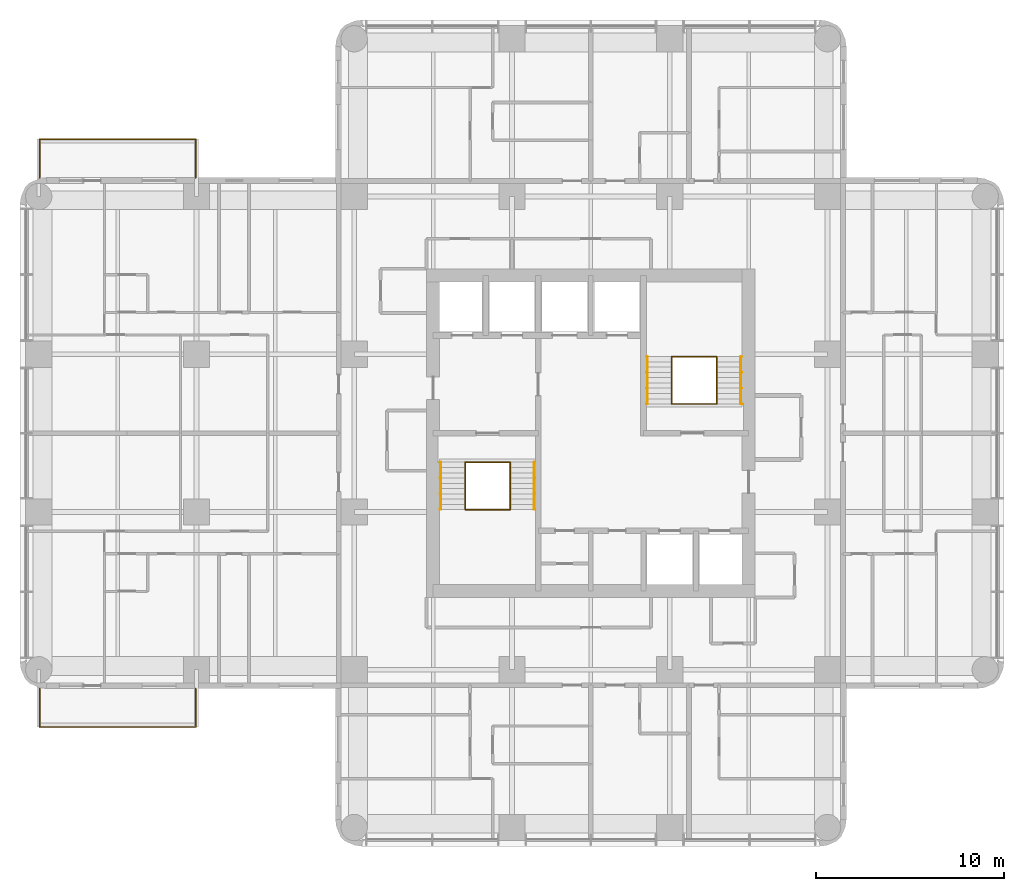
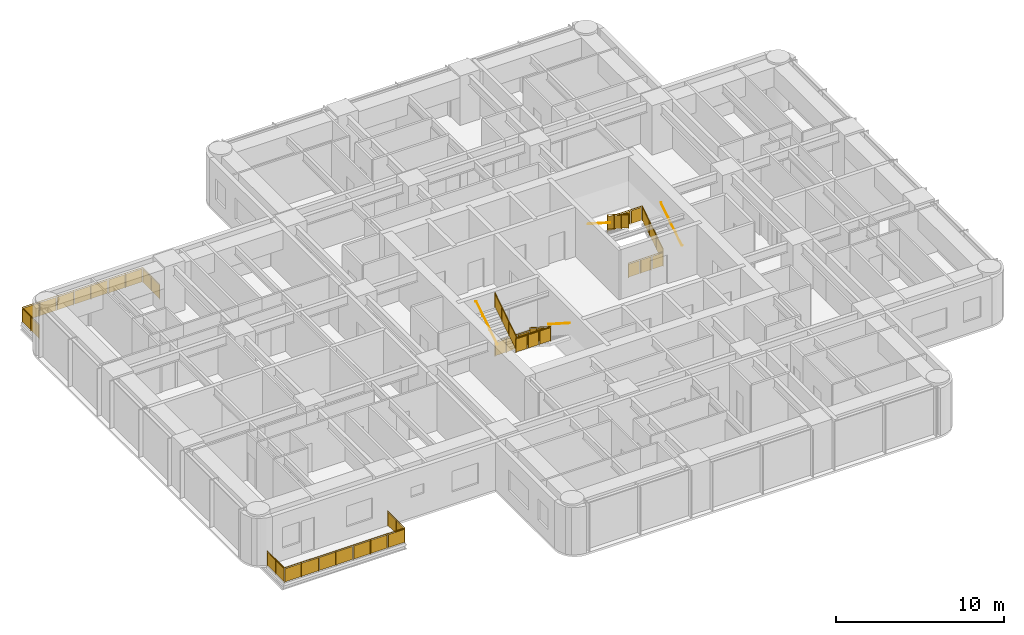
# One storey, part 11 of 11: 14 railings.
"""IFC4 building model written with IfcOpenShell, lengths in metres."""

from ifc_helpers import new_model, si_unit, direction, frame, origin, origin_2d, place, context, subcontext, project, spatial, polyline, circle, outline, extrude, material, constituent, constituent_set, type_object, element, save


model = new_model("IFC4")

# Units and contexts
model_context = context("Model", 3, precision=1e-05, world=origin(), true_north=direction((0.0, 1.0)))
body_context = subcontext(model_context, "Body", "Model", "MODEL_VIEW")
ifc_project = project(units=[si_unit("LENGTHUNIT", "METRE"), si_unit("AREAUNIT", "SQUARE_METRE"), si_unit("VOLUMEUNIT", "CUBIC_METRE"), si_unit("PLANEANGLEUNIT", "RADIAN"), si_unit("MASSUNIT", "GRAM", prefix="KILO")], contexts=[model_context])

# Site, building, storey
site_placement = place(None, origin())
site = spatial("IfcSite", under=ifc_project, at=site_placement, CompositionType="ELEMENT")
building_placement = place(site_placement, origin())
building = spatial("IfcBuilding", under=site, at=building_placement, Name="Torre Alcanfor", CompositionType="ELEMENT")
storey_placement = place(building_placement, frame((0.0, 0.0, 204.89990234375)))
storey = spatial("IfcBuildingStorey", under=building, at=storey_placement, Name="L53", CompositionType="ELEMENT", Elevation=204.89990234375)

# Railings
ifc_material_1 = material(Name="Laminated safety glass", Category="glass")
ifc_constituent_1 = constituent(ifc_material_1, Name="Infill")
ifc_material_2 = material(Name="Stainless steel ASTM A554 Grade MT 316L tube", Category="steel")
ifc_constituent_2 = constituent(ifc_material_2, Name="Posts and rail")
ifc_constituent_set = constituent_set(constituents=[ifc_constituent_1, ifc_constituent_2], Name="Balcony guard glass 1100")
railing_type_1 = type_object("IfcRailingType", Name="Balcony guard glass 1100", PredefinedType="BALUSTRADE", material=ifc_constituent_set)
railing_1_placement = place(storey_placement, frame((8.35009765625, 15.800048828125, 0.0)))
element("IfcRailing", 1, at=railing_1_placement, inside=storey, type_object=railing_type_1, Name="Balcony guard L53-W1", PredefinedType="BALUSTRADE", context=body_context, shape_type="SweptSolid", body=[
    extrude(circle(Radius=0.02392578125, at=origin_2d()), frame((0.0, 0.0, 1.076171875), z_axis=(0.0, -1.0, 0.0), x_axis=(1.0, 0.0, 0.0)), (0.0, 0.0, 1.0), 2.050048828125),
    extrude(circle(Radius=0.02392578125, at=origin_2d()), frame((0.0, -2.050048828125, 1.076171875), z_axis=(-1.0, 0.0, 0.0), x_axis=(0.0, -1.0, 0.0)), (0.0, 0.0, 1.0), 8.300048828125),
    extrude(circle(Radius=0.02392578125, at=origin_2d()), frame((-8.300048828125, -2.050048828125, 1.076171875), z_axis=(0.0, 1.0, 0.0), x_axis=(-1.0, 0.0, 0.0)), (0.0, 0.0, 1.0), 2.050048828125),
    extrude(circle(Radius=0.02099609375, at=origin_2d()), origin(), (0.0, 0.0, 1.0), 1.052001953125),
    extrude(circle(Radius=0.02099609375, at=origin_2d()), frame((0.0, -1.02490234375, 0.0)), (0.0, 0.0, 1.0), 1.052001953125),
    extrude(circle(Radius=0.02099609375, at=origin_2d()), frame((0.0, -2.050048828125, 0.0)), (0.0, 0.0, 1.0), 1.052001953125),
    extrude(circle(Radius=0.02099609375, at=origin_2d()), frame((-1.185791015625, -2.050048828125, 0.0)), (0.0, 0.0, 1.0), 1.052001953125),
    extrude(circle(Radius=0.02099609375, at=origin_2d()), frame((-2.371337890625, -2.050048828125, 0.0)), (0.0, 0.0, 1.0), 1.052001953125),
    extrude(circle(Radius=0.02099609375, at=origin_2d()), frame((-3.55712890625, -2.050048828125, 0.0)), (0.0, 0.0, 1.0), 1.052001953125),
    extrude(circle(Radius=0.02099609375, at=origin_2d()), frame((-4.742919921875, -2.050048828125, 0.0)), (0.0, 0.0, 1.0), 1.052001953125),
    extrude(circle(Radius=0.02099609375, at=origin_2d()), frame((-5.9287109375, -2.050048828125, 0.0)), (0.0, 0.0, 1.0), 1.052001953125),
    extrude(circle(Radius=0.02099609375, at=origin_2d()), frame((-7.1142578125, -2.050048828125, 0.0)), (0.0, 0.0, 1.0), 1.052001953125),
    extrude(circle(Radius=0.02099609375, at=origin_2d()), frame((-8.300048828125, -2.050048828125, 0.0)), (0.0, 0.0, 1.0), 1.052001953125),
    extrude(circle(Radius=0.02099609375, at=origin_2d()), frame((-8.300048828125, -1.02490234375, 0.0)), (0.0, 0.0, 1.0), 1.052001953125),
    extrude(circle(Radius=0.02099609375, at=origin_2d()), frame((-8.300048828125, 0.0, 0.0)), (0.0, 0.0, 1.0), 1.052001953125),
    extrude(outline(polyline([(0.041015625, 0.050048828125), (0.984130859375, 0.050048828125), (0.984130859375, 1.001953125), (0.041015625, 1.001953125), (0.041015625, 0.050048828125)])), frame((0.005859375, 0.0, 0.0), z_axis=(-1.0, 0.0, 0.0), x_axis=(0.0, -1.0, 0.0)), (0.0, 0.0, 1.0), 0.011962890625),
    extrude(outline(polyline([(1.06591796875, 0.050048828125), (2.009033203125, 0.050048828125), (2.009033203125, 1.001953125), (1.06591796875, 1.001953125), (1.06591796875, 0.050048828125)])), frame((0.005859375, 0.0, 0.0), z_axis=(-1.0, 0.0, 0.0), x_axis=(0.0, -1.0, 0.0)), (0.0, 0.0, 1.0), 0.011962890625),
    extrude(outline(polyline([(0.041015625, 0.050048828125), (1.144775390625, 0.050048828125), (1.144775390625, 1.001953125), (0.041015625, 1.001953125), (0.041015625, 0.050048828125)])), frame((0.0, -2.05615234375, 0.0), z_axis=(0.0, 1.0, 0.0), x_axis=(-1.0, 0.0, 0.0)), (0.0, 0.0, 1.0), 0.011962890625),
    extrude(outline(polyline([(1.226806640625, 0.050048828125), (2.330322265625, 0.050048828125), (2.330322265625, 1.001953125), (1.226806640625, 1.001953125), (1.226806640625, 0.050048828125)])), frame((0.0, -2.05615234375, 0.0), z_axis=(0.0, 1.0, 0.0), x_axis=(-1.0, 0.0, 0.0)), (0.0, 0.0, 1.0), 0.011962890625),
    extrude(outline(polyline([(2.412353515625, 0.050048828125), (3.51611328125, 0.050048828125), (3.51611328125, 1.001953125), (2.412353515625, 1.001953125), (2.412353515625, 0.050048828125)])), frame((0.0, -2.05615234375, 0.0), z_axis=(0.0, 1.0, 0.0), x_axis=(-1.0, 0.0, 0.0)), (0.0, 0.0, 1.0), 0.011962890625),
    extrude(outline(polyline([(3.59814453125, 0.050048828125), (4.701904296875, 0.050048828125), (4.701904296875, 1.001953125), (3.59814453125, 1.001953125), (3.59814453125, 0.050048828125)])), frame((0.0, -2.05615234375, 0.0), z_axis=(0.0, 1.0, 0.0), x_axis=(-1.0, 0.0, 0.0)), (0.0, 0.0, 1.0), 0.011962890625),
    extrude(outline(polyline([(4.783935546875, 0.050048828125), (5.8876953125, 0.050048828125), (5.8876953125, 1.001953125), (4.783935546875, 1.001953125), (4.783935546875, 0.050048828125)])), frame((0.0, -2.05615234375, 0.0), z_axis=(0.0, 1.0, 0.0), x_axis=(-1.0, 0.0, 0.0)), (0.0, 0.0, 1.0), 0.011962890625),
    extrude(outline(polyline([(5.9697265625, 0.050048828125), (7.0732421875, 0.050048828125), (7.0732421875, 1.001953125), (5.9697265625, 1.001953125), (5.9697265625, 0.050048828125)])), frame((0.0, -2.05615234375, 0.0), z_axis=(0.0, 1.0, 0.0), x_axis=(-1.0, 0.0, 0.0)), (0.0, 0.0, 1.0), 0.011962890625),
    extrude(outline(polyline([(7.1552734375, 0.050048828125), (8.259033203125, 0.050048828125), (8.259033203125, 1.001953125), (7.1552734375, 1.001953125), (7.1552734375, 0.050048828125)])), frame((0.0, -2.05615234375, 0.0), z_axis=(0.0, 1.0, 0.0), x_axis=(-1.0, 0.0, 0.0)), (0.0, 0.0, 1.0), 0.011962890625),
    extrude(outline(polyline([(0.041015625, 0.050048828125), (0.984130859375, 0.050048828125), (0.984130859375, 1.001953125), (0.041015625, 1.001953125), (0.041015625, 0.050048828125)])), frame((-8.30615234375, -2.050048828125, 0.0), z_axis=(1.0, 0.0, 0.0), x_axis=(0.0, 1.0, 0.0)), (0.0, 0.0, 1.0), 0.011962890625),
    extrude(outline(polyline([(1.06591796875, 0.050048828125), (2.009033203125, 0.050048828125), (2.009033203125, 1.001953125), (1.06591796875, 1.001953125), (1.06591796875, 0.050048828125)])), frame((-8.30615234375, -2.050048828125, 0.0), z_axis=(1.0, 0.0, 0.0), x_axis=(0.0, 1.0, 0.0)), (0.0, 0.0, 1.0), 0.011962890625),
])
railing_2_placement = place(storey_placement, frame((8.35009765625, 43.0, 0.0)))
element("IfcRailing", 2, at=railing_2_placement, inside=storey, type_object=railing_type_1, Name="Balcony guard L53-W2", PredefinedType="BALUSTRADE", context=body_context, shape_type="SweptSolid", body=[
    extrude(circle(Radius=0.02392578125, at=origin_2d()), frame((0.0, 0.0, 1.076171875), z_axis=(0.0, 1.0, 0.0), x_axis=(-1.0, 0.0, 0.0)), (0.0, 0.0, 1.0), 2.050048828125),
    extrude(circle(Radius=0.02392578125, at=origin_2d()), frame((0.0, 2.050048828125, 1.076171875), z_axis=(-1.0, 0.0, 0.0), x_axis=(0.0, -1.0, 0.0)), (0.0, 0.0, 1.0), 8.300048828125),
    extrude(circle(Radius=0.02392578125, at=origin_2d()), frame((-8.300048828125, 2.050048828125, 1.076171875), z_axis=(0.0, -1.0, 0.0), x_axis=(1.0, 0.0, 0.0)), (0.0, 0.0, 1.0), 2.050048828125),
    extrude(circle(Radius=0.02099609375, at=origin_2d()), origin(), (0.0, 0.0, 1.0), 1.052001953125),
    extrude(circle(Radius=0.02099609375, at=origin_2d()), frame((0.0, 1.02490234375, 0.0)), (0.0, 0.0, 1.0), 1.052001953125),
    extrude(circle(Radius=0.02099609375, at=origin_2d()), frame((0.0, 2.050048828125, 0.0)), (0.0, 0.0, 1.0), 1.052001953125),
    extrude(circle(Radius=0.02099609375, at=origin_2d()), frame((-1.185791015625, 2.050048828125, 0.0)), (0.0, 0.0, 1.0), 1.052001953125),
    extrude(circle(Radius=0.02099609375, at=origin_2d()), frame((-2.371337890625, 2.050048828125, 0.0)), (0.0, 0.0, 1.0), 1.052001953125),
    extrude(circle(Radius=0.02099609375, at=origin_2d()), frame((-3.55712890625, 2.050048828125, 0.0)), (0.0, 0.0, 1.0), 1.052001953125),
    extrude(circle(Radius=0.02099609375, at=origin_2d()), frame((-4.742919921875, 2.050048828125, 0.0)), (0.0, 0.0, 1.0), 1.052001953125),
    extrude(circle(Radius=0.02099609375, at=origin_2d()), frame((-5.9287109375, 2.050048828125, 0.0)), (0.0, 0.0, 1.0), 1.052001953125),
    extrude(circle(Radius=0.02099609375, at=origin_2d()), frame((-7.1142578125, 2.050048828125, 0.0)), (0.0, 0.0, 1.0), 1.052001953125),
    extrude(circle(Radius=0.02099609375, at=origin_2d()), frame((-8.300048828125, 2.050048828125, 0.0)), (0.0, 0.0, 1.0), 1.052001953125),
    extrude(circle(Radius=0.02099609375, at=origin_2d()), frame((-8.300048828125, 1.02490234375, 0.0)), (0.0, 0.0, 1.0), 1.052001953125),
    extrude(circle(Radius=0.02099609375, at=origin_2d()), frame((-8.300048828125, 0.0, 0.0)), (0.0, 0.0, 1.0), 1.052001953125),
    extrude(outline(polyline([(0.041015625, 0.050048828125), (0.984130859375, 0.050048828125), (0.984130859375, 1.001953125), (0.041015625, 1.001953125), (0.041015625, 0.050048828125)])), frame((-0.005859375, 0.0, 0.0), z_axis=(1.0, 0.0, 0.0), x_axis=(0.0, 1.0, 0.0)), (0.0, 0.0, 1.0), 0.011962890625),
    extrude(outline(polyline([(1.06591796875, 0.050048828125), (2.009033203125, 0.050048828125), (2.009033203125, 1.001953125), (1.06591796875, 1.001953125), (1.06591796875, 0.050048828125)])), frame((-0.005859375, 0.0, 0.0), z_axis=(1.0, 0.0, 0.0), x_axis=(0.0, 1.0, 0.0)), (0.0, 0.0, 1.0), 0.011962890625),
    extrude(outline(polyline([(0.041015625, 0.050048828125), (1.144775390625, 0.050048828125), (1.144775390625, 1.001953125), (0.041015625, 1.001953125), (0.041015625, 0.050048828125)])), frame((0.0, 2.0439453125, 0.0), z_axis=(0.0, 1.0, 0.0), x_axis=(-1.0, 0.0, 0.0)), (0.0, 0.0, 1.0), 0.011962890625),
    extrude(outline(polyline([(1.226806640625, 0.050048828125), (2.330322265625, 0.050048828125), (2.330322265625, 1.001953125), (1.226806640625, 1.001953125), (1.226806640625, 0.050048828125)])), frame((0.0, 2.0439453125, 0.0), z_axis=(0.0, 1.0, 0.0), x_axis=(-1.0, 0.0, 0.0)), (0.0, 0.0, 1.0), 0.011962890625),
    extrude(outline(polyline([(2.412353515625, 0.050048828125), (3.51611328125, 0.050048828125), (3.51611328125, 1.001953125), (2.412353515625, 1.001953125), (2.412353515625, 0.050048828125)])), frame((0.0, 2.0439453125, 0.0), z_axis=(0.0, 1.0, 0.0), x_axis=(-1.0, 0.0, 0.0)), (0.0, 0.0, 1.0), 0.011962890625),
    extrude(outline(polyline([(3.59814453125, 0.050048828125), (4.701904296875, 0.050048828125), (4.701904296875, 1.001953125), (3.59814453125, 1.001953125), (3.59814453125, 0.050048828125)])), frame((0.0, 2.0439453125, 0.0), z_axis=(0.0, 1.0, 0.0), x_axis=(-1.0, 0.0, 0.0)), (0.0, 0.0, 1.0), 0.011962890625),
    extrude(outline(polyline([(4.783935546875, 0.050048828125), (5.8876953125, 0.050048828125), (5.8876953125, 1.001953125), (4.783935546875, 1.001953125), (4.783935546875, 0.050048828125)])), frame((0.0, 2.0439453125, 0.0), z_axis=(0.0, 1.0, 0.0), x_axis=(-1.0, 0.0, 0.0)), (0.0, 0.0, 1.0), 0.011962890625),
    extrude(outline(polyline([(5.9697265625, 0.050048828125), (7.0732421875, 0.050048828125), (7.0732421875, 1.001953125), (5.9697265625, 1.001953125), (5.9697265625, 0.050048828125)])), frame((0.0, 2.0439453125, 0.0), z_axis=(0.0, 1.0, 0.0), x_axis=(-1.0, 0.0, 0.0)), (0.0, 0.0, 1.0), 0.011962890625),
    extrude(outline(polyline([(7.1552734375, 0.050048828125), (8.259033203125, 0.050048828125), (8.259033203125, 1.001953125), (7.1552734375, 1.001953125), (7.1552734375, 0.050048828125)])), frame((0.0, 2.0439453125, 0.0), z_axis=(0.0, 1.0, 0.0), x_axis=(-1.0, 0.0, 0.0)), (0.0, 0.0, 1.0), 0.011962890625),
    extrude(outline(polyline([(0.041015625, 0.050048828125), (0.984130859375, 0.050048828125), (0.984130859375, 1.001953125), (0.041015625, 1.001953125), (0.041015625, 0.050048828125)])), frame((-8.2939453125, 2.050048828125, 0.0), z_axis=(-1.0, 0.0, 0.0), x_axis=(0.0, -1.0, 0.0)), (0.0, 0.0, 1.0), 0.011962890625),
    extrude(outline(polyline([(1.06591796875, 0.050048828125), (2.009033203125, 0.050048828125), (2.009033203125, 1.001953125), (1.06591796875, 1.001953125), (1.06591796875, 0.050048828125)])), frame((-8.2939453125, 2.050048828125, 0.0), z_axis=(-1.0, 0.0, 0.0), x_axis=(0.0, -1.0, 0.0)), (0.0, 0.0, 1.0), 0.011962890625),
])
ifc_material_3 = material(Name="Steel ASTM A500 Grade C hollow sections", Category="steel")
railing_type_2 = type_object("IfcRailingType", Name="Stair guard and handrail 1100", PredefinedType="GUARDRAIL", material=ifc_material_3)
railing_3_placement = place(storey_placement, frame((25.10009765625, 27.85009765625, 0.18017578125)))
element("IfcRailing", 3, at=railing_3_placement, inside=storey, type_object=railing_type_2, Name="Stair guard S1 L53 flight 1", PredefinedType="GUARDRAIL", context=body_context, shape_type="SweptSolid", body=[
    extrude(circle(Radius=0.02392578125, at=origin_2d()), frame((0.0, 0.0, 1.076171875), z_axis=(0.0, -0.841199657755, 0.540724639528), x_axis=(1.0, 0.0, 0.0)), (0.0, 0.0, 1.0), 2.995849609375),
    extrude(circle(Radius=0.02099609375, at=origin_2d()), origin(), (0.0, 0.0, 1.0), 1.052001953125),
    extrude(circle(Radius=0.02099609375, at=origin_2d()), frame((0.0, -0.840087890625, 0.5400390625)), (0.0, 0.0, 1.0), 1.052001953125),
    extrude(circle(Radius=0.02099609375, at=origin_2d()), frame((0.0, -1.679931640625, 1.079833984375)), (0.0, 0.0, 1.0), 1.052001953125),
    extrude(circle(Radius=0.02099609375, at=origin_2d()), frame((0.0, -2.52001953125, 1.619873046875)), (0.0, 0.0, 1.0), 1.052001953125),
    extrude(outline(polyline([(0.041015625, 0.076416015625), (0.799072265625, 0.563720703125), (0.799072265625, 1.515625), (0.041015625, 1.0283203125), (0.041015625, 0.076416015625)])), frame((0.005859375, 0.0, 0.0), z_axis=(-1.0, 0.0, 0.0), x_axis=(0.0, -1.0, 0.0)), (0.0, 0.0, 1.0), 0.011962890625),
    extrude(outline(polyline([(0.881103515625, 0.6162109375), (1.638916015625, 1.103515625), (1.638916015625, 2.0556640625), (0.881103515625, 1.568359375), (0.881103515625, 0.6162109375)])), frame((0.005859375, 0.0, 0.0), z_axis=(-1.0, 0.0, 0.0), x_axis=(0.0, -1.0, 0.0)), (0.0, 0.0, 1.0), 0.011962890625),
    extrude(outline(polyline([(1.720947265625, 1.15625), (2.47900390625, 1.6435546875), (2.47900390625, 2.595458984375), (1.720947265625, 2.108154296875), (1.720947265625, 1.15625)])), frame((0.005859375, 0.0, 0.0), z_axis=(-1.0, 0.0, 0.0), x_axis=(0.0, -1.0, 0.0)), (0.0, 0.0, 1.0), 0.011962890625),
])
railing_4_placement = place(storey_placement, frame((22.699951171875, 25.330078125, 1.97998046875)))
element("IfcRailing", 4, at=railing_4_placement, inside=storey, type_object=railing_type_2, Name="Stair guard S1 L53 flight 2", PredefinedType="GUARDRAIL", context=body_context, shape_type="SweptSolid", body=[
    extrude(circle(Radius=0.02392578125, at=origin_2d()), frame((0.0, 0.0, 1.076171875), z_axis=(0.0, 0.841162588446, 0.540782303519), x_axis=(-1.0, 0.0, 0.0)), (0.0, 0.0, 1.0), 2.995849609375),
    extrude(circle(Radius=0.02099609375, at=origin_2d()), origin(), (0.0, 0.0, 1.0), 1.052001953125),
    extrude(circle(Radius=0.02099609375, at=origin_2d()), frame((0.0, 0.840087890625, 0.5400390625)), (0.0, 0.0, 1.0), 1.052001953125),
    extrude(circle(Radius=0.02099609375, at=origin_2d()), frame((0.0, 1.679931640625, 1.080078125)), (0.0, 0.0, 1.0), 1.052001953125),
    extrude(circle(Radius=0.02099609375, at=origin_2d()), frame((0.0, 2.52001953125, 1.6201171875)), (0.0, 0.0, 1.0), 1.052001953125),
    extrude(outline(polyline([(0.041015625, 0.076416015625), (0.799072265625, 0.563720703125), (0.799072265625, 1.515625), (0.041015625, 1.0283203125), (0.041015625, 0.076416015625)])), frame((-0.005859375, 0.0, 0.0), z_axis=(1.0, 0.0, 0.0), x_axis=(0.0, 1.0, 0.0)), (0.0, 0.0, 1.0), 0.011962890625),
    extrude(outline(polyline([(0.881103515625, 0.616455078125), (1.638916015625, 1.103759765625), (1.638916015625, 2.0556640625), (0.881103515625, 1.568359375), (0.881103515625, 0.616455078125)])), frame((-0.005859375, 0.0, 0.0), z_axis=(1.0, 0.0, 0.0), x_axis=(0.0, 1.0, 0.0)), (0.0, 0.0, 1.0), 0.011962890625),
    extrude(outline(polyline([(1.720947265625, 1.156494140625), (2.47900390625, 1.643798828125), (2.47900390625, 2.595703125), (1.720947265625, 2.1083984375), (1.720947265625, 1.156494140625)])), frame((-0.005859375, 0.0, 0.0), z_axis=(1.0, 0.0, 0.0), x_axis=(0.0, 1.0, 0.0)), (0.0, 0.0, 1.0), 0.011962890625),
])
for number, where, name in (
    (5, (22.699951171875, 27.85009765625, 0.0), "Stair well guard S1 L53 floor landing"),
    (6, (22.699951171875, 25.330078125, 1.800048828125), "Stair well guard S1 L53 half landing"),
):
    element("IfcRailing", number, at=place(storey_placement, frame(where)), inside=storey, type_object=railing_type_2, Name=name, PredefinedType="GUARDRAIL", context=body_context, shape_type="SweptSolid", body=[
        extrude(circle(Radius=0.02392578125, at=origin_2d()), frame((0.0, 0.0, 1.076171875), z_axis=(1.0, 0.0, 0.0), x_axis=(0.0, 1.0, 0.0)), (0.0, 0.0, 1.0), 2.400146484375),
        extrude(circle(Radius=0.02099609375, at=origin_2d()), origin(), (0.0, 0.0, 1.0), 1.052001953125),
        extrude(circle(Radius=0.02099609375, at=origin_2d()), frame((0.800048828125, 0.0, 0.0)), (0.0, 0.0, 1.0), 1.052001953125),
        extrude(circle(Radius=0.02099609375, at=origin_2d()), frame((1.60009765625, 0.0, 0.0)), (0.0, 0.0, 1.0), 1.052001953125),
        extrude(circle(Radius=0.02099609375, at=origin_2d()), frame((2.400146484375, 0.0, 0.0)), (0.0, 0.0, 1.0), 1.052001953125),
        extrude(outline(polyline([(0.041015625, 0.050048828125), (0.759033203125, 0.050048828125), (0.759033203125, 1.001953125), (0.041015625, 1.001953125), (0.041015625, 0.050048828125)])), frame((0.0, 0.005859375, 0.0), z_axis=(0.0, -1.0, 0.0), x_axis=(1.0, 0.0, 0.0)), (0.0, 0.0, 1.0), 0.011962890625),
        extrude(outline(polyline([(0.841064453125, 0.050048828125), (1.55908203125, 0.050048828125), (1.55908203125, 1.001953125), (0.841064453125, 1.001953125), (0.841064453125, 0.050048828125)])), frame((0.0, 0.005859375, 0.0), z_axis=(0.0, -1.0, 0.0), x_axis=(1.0, 0.0, 0.0)), (0.0, 0.0, 1.0), 0.011962890625),
        extrude(outline(polyline([(1.64111328125, 0.050048828125), (2.359130859375, 0.050048828125), (2.359130859375, 1.001953125), (1.64111328125, 1.001953125), (1.64111328125, 0.050048828125)])), frame((0.0, 0.005859375, 0.0), z_axis=(0.0, -1.0, 0.0), x_axis=(1.0, 0.0, 0.0)), (0.0, 0.0, 1.0), 0.011962890625),
    ])
railing_5_placement = place(storey_placement, frame((36.10009765625, 30.949951171875, 0.18017578125)))
element("IfcRailing", 7, at=railing_5_placement, inside=storey, type_object=railing_type_2, Name="Stair guard S2 L53 flight 1", PredefinedType="GUARDRAIL", context=body_context, shape_type="SweptSolid", body=[
    extrude(circle(Radius=0.02392578125, at=origin_2d()), frame((0.0, 0.0, 1.076171875), z_axis=(0.0, 0.841199657755, 0.540724639528), x_axis=(-1.0, 0.0, 0.0)), (0.0, 0.0, 1.0), 2.995849609375),
    extrude(circle(Radius=0.02099609375, at=origin_2d()), origin(), (0.0, 0.0, 1.0), 1.052001953125),
    extrude(circle(Radius=0.02099609375, at=origin_2d()), frame((0.0, 0.840087890625, 0.5400390625)), (0.0, 0.0, 1.0), 1.052001953125),
    extrude(circle(Radius=0.02099609375, at=origin_2d()), frame((0.0, 1.679931640625, 1.079833984375)), (0.0, 0.0, 1.0), 1.052001953125),
    extrude(circle(Radius=0.02099609375, at=origin_2d()), frame((0.0, 2.52001953125, 1.619873046875)), (0.0, 0.0, 1.0), 1.052001953125),
    extrude(outline(polyline([(0.041015625, 0.076416015625), (0.799072265625, 0.563720703125), (0.799072265625, 1.515625), (0.041015625, 1.0283203125), (0.041015625, 0.076416015625)])), frame((-0.005859375, 0.0, 0.0), z_axis=(1.0, 0.0, 0.0), x_axis=(0.0, 1.0, 0.0)), (0.0, 0.0, 1.0), 0.011962890625),
    extrude(outline(polyline([(0.881103515625, 0.6162109375), (1.638916015625, 1.103515625), (1.638916015625, 2.0556640625), (0.881103515625, 1.568359375), (0.881103515625, 0.6162109375)])), frame((-0.005859375, 0.0, 0.0), z_axis=(1.0, 0.0, 0.0), x_axis=(0.0, 1.0, 0.0)), (0.0, 0.0, 1.0), 0.011962890625),
    extrude(outline(polyline([(1.720947265625, 1.15625), (2.47900390625, 1.6435546875), (2.47900390625, 2.595458984375), (1.720947265625, 2.108154296875), (1.720947265625, 1.15625)])), frame((-0.005859375, 0.0, 0.0), z_axis=(1.0, 0.0, 0.0), x_axis=(0.0, 1.0, 0.0)), (0.0, 0.0, 1.0), 0.011962890625),
])
railing_6_placement = place(storey_placement, frame((33.699951171875, 33.469970703125, 1.97998046875)))
element("IfcRailing", 8, at=railing_6_placement, inside=storey, type_object=railing_type_2, Name="Stair guard S2 L53 flight 2", PredefinedType="GUARDRAIL", context=body_context, shape_type="SweptSolid", body=[
    extrude(circle(Radius=0.02392578125, at=origin_2d()), frame((0.0, 0.0, 1.076171875), z_axis=(0.0, -0.841162588446, 0.540782303519), x_axis=(1.0, 0.0, 0.0)), (0.0, 0.0, 1.0), 2.995849609375),
    extrude(circle(Radius=0.02099609375, at=origin_2d()), origin(), (0.0, 0.0, 1.0), 1.052001953125),
    extrude(circle(Radius=0.02099609375, at=origin_2d()), frame((0.0, -0.840087890625, 0.5400390625)), (0.0, 0.0, 1.0), 1.052001953125),
    extrude(circle(Radius=0.02099609375, at=origin_2d()), frame((0.0, -1.679931640625, 1.080078125)), (0.0, 0.0, 1.0), 1.052001953125),
    extrude(circle(Radius=0.02099609375, at=origin_2d()), frame((0.0, -2.52001953125, 1.6201171875)), (0.0, 0.0, 1.0), 1.052001953125),
    extrude(outline(polyline([(0.041015625, 0.076416015625), (0.799072265625, 0.563720703125), (0.799072265625, 1.515625), (0.041015625, 1.0283203125), (0.041015625, 0.076416015625)])), frame((0.005859375, 0.0, 0.0), z_axis=(-1.0, 0.0, 0.0), x_axis=(0.0, -1.0, 0.0)), (0.0, 0.0, 1.0), 0.011962890625),
    extrude(outline(polyline([(0.881103515625, 0.616455078125), (1.638916015625, 1.103759765625), (1.638916015625, 2.0556640625), (0.881103515625, 1.568359375), (0.881103515625, 0.616455078125)])), frame((0.005859375, 0.0, 0.0), z_axis=(-1.0, 0.0, 0.0), x_axis=(0.0, -1.0, 0.0)), (0.0, 0.0, 1.0), 0.011962890625),
    extrude(outline(polyline([(1.720947265625, 1.156494140625), (2.47900390625, 1.643798828125), (2.47900390625, 2.595703125), (1.720947265625, 2.1083984375), (1.720947265625, 1.156494140625)])), frame((0.005859375, 0.0, 0.0), z_axis=(-1.0, 0.0, 0.0), x_axis=(0.0, -1.0, 0.0)), (0.0, 0.0, 1.0), 0.011962890625),
])
for number, where, name in (
    (9, (33.699951171875, 30.949951171875, 0.0), "Stair well guard S2 L53 floor landing"),
    (10, (33.699951171875, 33.469970703125, 1.800048828125), "Stair well guard S2 L53 half landing"),
):
    element("IfcRailing", number, at=place(storey_placement, frame(where)), inside=storey, type_object=railing_type_2, Name=name, PredefinedType="GUARDRAIL", context=body_context, shape_type="SweptSolid", body=[
        extrude(circle(Radius=0.02392578125, at=origin_2d()), frame((0.0, 0.0, 1.076171875), z_axis=(1.0, 0.0, 0.0), x_axis=(0.0, 1.0, 0.0)), (0.0, 0.0, 1.0), 2.400146484375),
        extrude(circle(Radius=0.02099609375, at=origin_2d()), origin(), (0.0, 0.0, 1.0), 1.052001953125),
        extrude(circle(Radius=0.02099609375, at=origin_2d()), frame((0.800048828125, 0.0, 0.0)), (0.0, 0.0, 1.0), 1.052001953125),
        extrude(circle(Radius=0.02099609375, at=origin_2d()), frame((1.60009765625, 0.0, 0.0)), (0.0, 0.0, 1.0), 1.052001953125),
        extrude(circle(Radius=0.02099609375, at=origin_2d()), frame((2.400146484375, 0.0, 0.0)), (0.0, 0.0, 1.0), 1.052001953125),
        extrude(outline(polyline([(0.041015625, 0.050048828125), (0.759033203125, 0.050048828125), (0.759033203125, 1.001953125), (0.041015625, 1.001953125), (0.041015625, 0.050048828125)])), frame((0.0, 0.005859375, 0.0), z_axis=(0.0, -1.0, 0.0), x_axis=(1.0, 0.0, 0.0)), (0.0, 0.0, 1.0), 0.011962890625),
        extrude(outline(polyline([(0.841064453125, 0.050048828125), (1.55908203125, 0.050048828125), (1.55908203125, 1.001953125), (0.841064453125, 1.001953125), (0.841064453125, 0.050048828125)])), frame((0.0, 0.005859375, 0.0), z_axis=(0.0, -1.0, 0.0), x_axis=(1.0, 0.0, 0.0)), (0.0, 0.0, 1.0), 0.011962890625),
        extrude(outline(polyline([(1.64111328125, 0.050048828125), (2.359130859375, 0.050048828125), (2.359130859375, 1.001953125), (1.64111328125, 1.001953125), (1.64111328125, 0.050048828125)])), frame((0.0, 0.005859375, 0.0), z_axis=(0.0, -1.0, 0.0), x_axis=(1.0, 0.0, 0.0)), (0.0, 0.0, 1.0), 0.011962890625),
    ])
ifc_material_4 = material(Name="Steel ASTM A500 Grade C hollow sections", Category="steel")
railing_type_3 = type_object("IfcRailingType", Name="Stair wall handrail 900", PredefinedType="HANDRAIL", material=ifc_material_4)
railing_7_placement = place(storey_placement, frame((26.385009765625, 27.85009765625, 0.18017578125)))
element("IfcRailing", 11, at=railing_7_placement, inside=storey, type_object=railing_type_3, Name="Stair handrail S1 L53 flight 1", PredefinedType="HANDRAIL", context=body_context, shape_type="SweptSolid", body=[
    extrude(circle(Radius=0.02392578125, at=origin_2d()), frame((0.0, 0.0, 0.8759765625), z_axis=(0.0, -0.841199657755, 0.540724639528), x_axis=(1.0, 0.0, 0.0)), (0.0, 0.0, 1.0), 2.995849609375),
    extrude(circle(Radius=0.008056640625, at=origin_2d()), frame((0.0, 0.0, 0.8759765625), z_axis=(1.0, 0.0, 0.0), x_axis=(0.0, 0.0, 1.0)), (0.0, 0.0, 1.0), 0.06494140625),
    extrude(circle(Radius=0.008056640625, at=origin_2d()), frame((0.0, -0.840087890625, 1.415771484375), z_axis=(1.0, 0.0, 0.0), x_axis=(0.0, 0.0, 1.0)), (0.0, 0.0, 1.0), 0.06494140625),
    extrude(circle(Radius=0.008056640625, at=origin_2d()), frame((0.0, -1.679931640625, 1.955810546875), z_axis=(1.0, 0.0, 0.0), x_axis=(0.0, 0.0, 1.0)), (0.0, 0.0, 1.0), 0.06494140625),
    extrude(circle(Radius=0.008056640625, at=origin_2d()), frame((0.0, -2.52001953125, 2.49560546875), z_axis=(1.0, 0.0, 0.0), x_axis=(0.0, 0.0, 1.0)), (0.0, 0.0, 1.0), 0.06494140625),
])
railing_8_placement = place(storey_placement, frame((21.4150390625, 25.330078125, 1.97998046875)))
element("IfcRailing", 12, at=railing_8_placement, inside=storey, type_object=railing_type_3, Name="Stair handrail S1 L53 flight 2", PredefinedType="HANDRAIL", context=body_context, shape_type="SweptSolid", body=[
    extrude(circle(Radius=0.02392578125, at=origin_2d()), frame((0.0, 0.0, 0.8759765625), z_axis=(0.0, 0.841162588446, 0.540782303519), x_axis=(-1.0, 0.0, 0.0)), (0.0, 0.0, 1.0), 2.995849609375),
    extrude(circle(Radius=0.008056640625, at=origin_2d()), frame((0.0, 0.0, 0.8759765625), z_axis=(-1.0, 0.0, 0.0), x_axis=(0.0, 0.0, 1.0)), (0.0, 0.0, 1.0), 0.06494140625),
    extrude(circle(Radius=0.008056640625, at=origin_2d()), frame((0.0, 0.840087890625, 1.416015625), z_axis=(-1.0, 0.0, 0.0), x_axis=(0.0, 0.0, 1.0)), (0.0, 0.0, 1.0), 0.06494140625),
    extrude(circle(Radius=0.008056640625, at=origin_2d()), frame((0.0, 1.679931640625, 1.9560546875), z_axis=(-1.0, 0.0, 0.0), x_axis=(0.0, 0.0, 1.0)), (0.0, 0.0, 1.0), 0.06494140625),
    extrude(circle(Radius=0.008056640625, at=origin_2d()), frame((0.0, 2.52001953125, 2.49609375), z_axis=(-1.0, 0.0, 0.0), x_axis=(0.0, 0.0, 1.0)), (0.0, 0.0, 1.0), 0.06494140625),
])
railing_9_placement = place(storey_placement, frame((37.385009765625, 30.949951171875, 0.18017578125)))
element("IfcRailing", 13, at=railing_9_placement, inside=storey, type_object=railing_type_3, Name="Stair handrail S2 L53 flight 1", PredefinedType="HANDRAIL", context=body_context, shape_type="SweptSolid", body=[
    extrude(circle(Radius=0.02392578125, at=origin_2d()), frame((0.0, 0.0, 0.8759765625), z_axis=(0.0, 0.841199657755, 0.540724639528), x_axis=(-1.0, 0.0, 0.0)), (0.0, 0.0, 1.0), 2.995849609375),
    extrude(circle(Radius=0.008056640625, at=origin_2d()), frame((0.0, 0.0, 0.8759765625), z_axis=(1.0, 0.0, 0.0), x_axis=(0.0, 0.0, 1.0)), (0.0, 0.0, 1.0), 0.06494140625),
    extrude(circle(Radius=0.008056640625, at=origin_2d()), frame((0.0, 0.840087890625, 1.415771484375), z_axis=(1.0, 0.0, 0.0), x_axis=(0.0, 0.0, 1.0)), (0.0, 0.0, 1.0), 0.06494140625),
    extrude(circle(Radius=0.008056640625, at=origin_2d()), frame((0.0, 1.679931640625, 1.955810546875), z_axis=(1.0, 0.0, 0.0), x_axis=(0.0, 0.0, 1.0)), (0.0, 0.0, 1.0), 0.06494140625),
    extrude(circle(Radius=0.008056640625, at=origin_2d()), frame((0.0, 2.52001953125, 2.49560546875), z_axis=(1.0, 0.0, 0.0), x_axis=(0.0, 0.0, 1.0)), (0.0, 0.0, 1.0), 0.06494140625),
])
railing_10_placement = place(storey_placement, frame((32.4150390625, 33.469970703125, 1.97998046875)))
element("IfcRailing", 14, at=railing_10_placement, inside=storey, type_object=railing_type_3, Name="Stair handrail S2 L53 flight 2", PredefinedType="HANDRAIL", context=body_context, shape_type="SweptSolid", body=[
    extrude(circle(Radius=0.02392578125, at=origin_2d()), frame((0.0, 0.0, 0.8759765625), z_axis=(0.0, -0.841162588446, 0.540782303519), x_axis=(1.0, 0.0, 0.0)), (0.0, 0.0, 1.0), 2.995849609375),
    extrude(circle(Radius=0.008056640625, at=origin_2d()), frame((0.0, 0.0, 0.8759765625), z_axis=(-1.0, 0.0, 0.0), x_axis=(0.0, 0.0, 1.0)), (0.0, 0.0, 1.0), 0.06494140625),
    extrude(circle(Radius=0.008056640625, at=origin_2d()), frame((0.0, -0.840087890625, 1.416015625), z_axis=(-1.0, 0.0, 0.0), x_axis=(0.0, 0.0, 1.0)), (0.0, 0.0, 1.0), 0.06494140625),
    extrude(circle(Radius=0.008056640625, at=origin_2d()), frame((0.0, -1.679931640625, 1.9560546875), z_axis=(-1.0, 0.0, 0.0), x_axis=(0.0, 0.0, 1.0)), (0.0, 0.0, 1.0), 0.06494140625),
    extrude(circle(Radius=0.008056640625, at=origin_2d()), frame((0.0, -2.52001953125, 2.49609375), z_axis=(-1.0, 0.0, 0.0), x_axis=(0.0, 0.0, 1.0)), (0.0, 0.0, 1.0), 0.06494140625),
])

save(model, "model.ifc")
